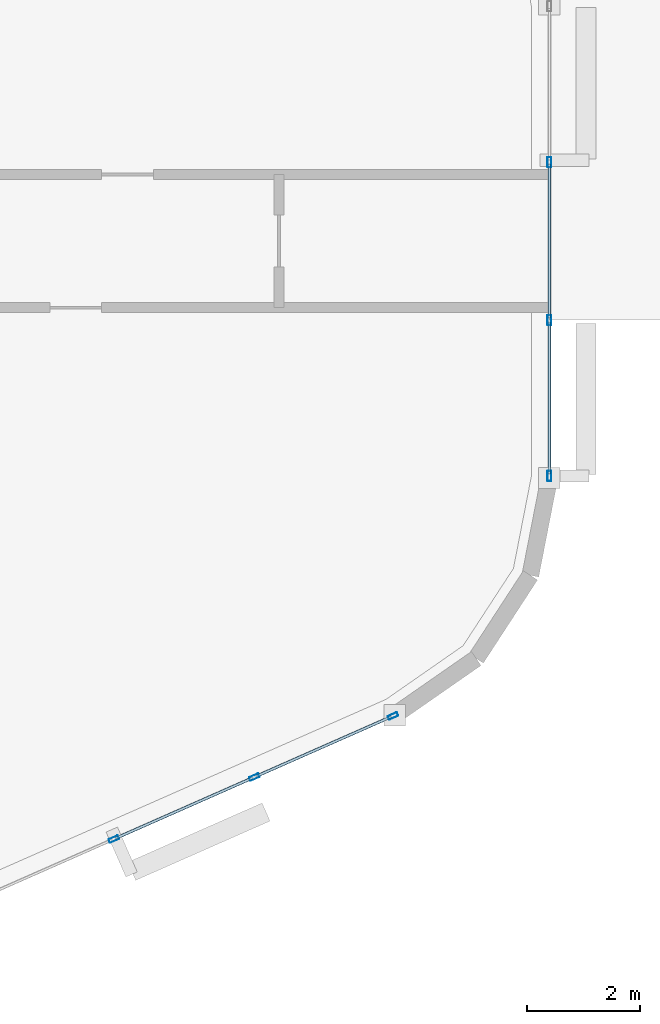
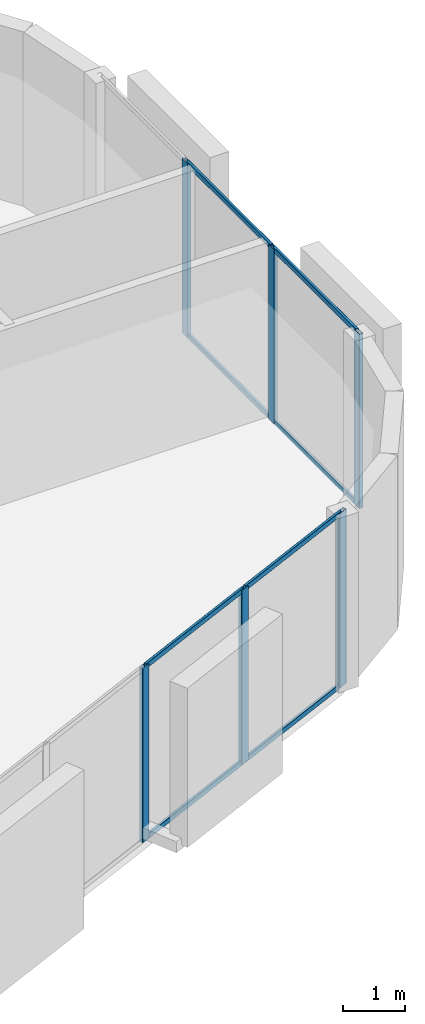
# One storey, part 4 of 14: 14 members, 2 elements without a shape of their own.
"""IFC4 building model written with IfcOpenShell, lengths in metres."""

from ifc_helpers import new_model, si_unit, direction, frame, origin, origin_2d, place, context, subcontext, project, spatial, hollow_rectangle, extrude, material, layer, layer_set, material_profile, profile_set, type_object, element, aggregate, save


model = new_model("IFC4")

# Units and contexts
model_context = context("Model", 3, precision=1e-05, world=origin(), true_north=direction((0.0, 1.0)))
body_context = subcontext(model_context, "Body", "Model", "MODEL_VIEW")
ifc_project = project(units=[si_unit("LENGTHUNIT", "METRE"), si_unit("AREAUNIT", "SQUARE_METRE"), si_unit("VOLUMEUNIT", "CUBIC_METRE"), si_unit("PLANEANGLEUNIT", "RADIAN"), si_unit("MASSUNIT", "GRAM", prefix="KILO")], contexts=[model_context])

# Site, building, storey
site_placement = place(None, origin())
site = spatial("IfcSite", under=ifc_project, at=site_placement, CompositionType="ELEMENT")
building_placement = place(site_placement, origin())
building = spatial("IfcBuilding", under=site, at=building_placement, Name="An Khanh Terracotta Commons", CompositionType="ELEMENT")
storey_placement = place(building_placement, frame((0.0, 0.0, 280.699951171875)))
storey = spatial("IfcBuildingStorey", under=building, at=storey_placement, Name="L73", CompositionType="ELEMENT", Elevation=280.699951171875)

# Curtain wall, members
ifc_material = material(Name="Anodised Aluminium 6063-T6", Category="aluminium")
ifc_layer = layer(ifc_material, 0.2099609375, Name="Anodised Aluminium 6063-T6")
ifc_layer_set = layer_set([ifc_layer], Name="Anodised Aluminium 6063-T6")
curtain_wall_type = type_object("IfcCurtainWallType", Name="CW-SYS-03", PredefinedType="USERDEFINED", material=ifc_layer_set)
curtain_wall_1_placement = place(storey_placement, origin())
curtain_wall_1 = element("IfcCurtainWall", 1, at=curtain_wall_1_placement, inside=storey, type_object=curtain_wall_type, Name="L73 CW-03 Unitised Curtain Wall CW-L73-08", ObjectType="UNITISED CURTAIN WALL", PredefinedType="USERDEFINED")
ifc_material_profile_1 = material_profile(ifc_material, hollow_rectangle(XDim=0.070068359375, YDim=0.179931640625, WallThickness=0.00390625, InnerFilletRadius=0.00390625, OuterFilletRadius=0.008056640625, at=origin_2d()), Name="RHS180x70x4")
ifc_profile_set_1 = profile_set([ifc_material_profile_1], Name="Anodised Aluminium 6063-T6")
member_type_1 = type_object("IfcMemberType", Name="CWM-RHS180x70x4", PredefinedType="MULLION", material=ifc_profile_set_1)
member_1_placement = place(storey_placement, frame((67.8720703125, 13.390380859375, 0.0), z_axis=(0.0, 0.0, 1.0), x_axis=(-0.403676354285, 0.914901853201, 0.0)))
member_1 = element("IfcMember", 2, at=member_1_placement, type_object=member_type_1, Name="CW-03 mullion 3", PredefinedType="MULLION", context=body_context, shape_type="SweptSolid", body=[
    extrude(hollow_rectangle(XDim=0.070068359375, YDim=0.179931640625, WallThickness=0.00390625, InnerFilletRadius=0.00390625, OuterFilletRadius=0.008056640625, at=origin_2d()), origin(), (0.0, 0.0, 1.0), 3.449951171875),
])
member_2_placement = place(storey_placement, frame((70.364501953125, 14.490234375, 0.0), z_axis=(0.0, 0.0, 1.0), x_axis=(-0.403676354285, 0.914901853201, 0.0)))
member_2 = element("IfcMember", 3, at=member_2_placement, type_object=member_type_1, Name="CW-03 mullion 4", PredefinedType="MULLION", context=body_context, shape_type="SweptSolid", body=[
    extrude(hollow_rectangle(XDim=0.070068359375, YDim=0.179931640625, WallThickness=0.00390625, InnerFilletRadius=0.00390625, OuterFilletRadius=0.008056640625, at=origin_2d()), origin(), (0.0, 0.0, 1.0), 3.449951171875),
])
member_3_placement = place(storey_placement, frame((72.824951171875, 15.575927734375, 0.0), z_axis=(0.0, 0.0, 1.0), x_axis=(-0.403676354285, 0.914901853201, 0.0)))
member_3 = element("IfcMember", 4, at=member_3_placement, type_object=member_type_1, Name="CW-03 mullion 5", PredefinedType="MULLION", context=body_context, shape_type="SweptSolid", body=[
    extrude(hollow_rectangle(XDim=0.070068359375, YDim=0.179931640625, WallThickness=0.00390625, InnerFilletRadius=0.00390625, OuterFilletRadius=0.008056640625, at=origin_2d()), origin(), (0.0, 0.0, 1.0), 3.449951171875),
])

curtain_wall_2_placement = place(storey_placement, origin())
curtain_wall_2 = element("IfcCurtainWall", 5, at=curtain_wall_2_placement, inside=storey, type_object=curtain_wall_type, Name="L73 CW-03 Unitised Curtain Wall CW-L73-12", ObjectType="UNITISED CURTAIN WALL", PredefinedType="USERDEFINED")
member_4_placement = place(storey_placement, frame((75.60009765625, 19.8330078125, 0.0), z_axis=(0.0, 0.0, 1.0), x_axis=(-1.0, 0.0, 0.0)))
member_4 = element("IfcMember", 6, at=member_4_placement, type_object=member_type_1, Name="CW-03 mullion 1", PredefinedType="MULLION", context=body_context, shape_type="SweptSolid", body=[
    extrude(hollow_rectangle(XDim=0.070068359375, YDim=0.179931640625, WallThickness=0.00390625, InnerFilletRadius=0.00390625, OuterFilletRadius=0.008056640625, at=origin_2d()), origin(), (0.0, 0.0, 1.0), 3.449951171875),
])
member_5_placement = place(storey_placement, frame((75.60009765625, 22.599365234375, 0.0), z_axis=(0.0, 0.0, 1.0), x_axis=(-1.0, 0.0, 0.0)))
member_5 = element("IfcMember", 7, at=member_5_placement, type_object=member_type_1, Name="CW-03 mullion 2", PredefinedType="MULLION", context=body_context, shape_type="SweptSolid", body=[
    extrude(hollow_rectangle(XDim=0.070068359375, YDim=0.179931640625, WallThickness=0.00390625, InnerFilletRadius=0.00390625, OuterFilletRadius=0.008056640625, at=origin_2d()), origin(), (0.0, 0.0, 1.0), 3.449951171875),
])
member_6_placement = place(storey_placement, frame((75.60009765625, 25.400634765625, 0.0), z_axis=(0.0, 0.0, 1.0), x_axis=(-1.0, 0.0, 0.0)))
member_6 = element("IfcMember", 8, at=member_6_placement, type_object=member_type_1, Name="CW-03 mullion 3", PredefinedType="MULLION", context=body_context, shape_type="SweptSolid", body=[
    extrude(hollow_rectangle(XDim=0.070068359375, YDim=0.179931640625, WallThickness=0.00390625, InnerFilletRadius=0.00390625, OuterFilletRadius=0.008056640625, at=origin_2d()), origin(), (0.0, 0.0, 1.0), 3.449951171875),
])

# Member
ifc_material_profile_2 = material_profile(ifc_material, hollow_rectangle(XDim=0.050048828125, YDim=0.10009765625, WallThickness=0.003173828125, InnerFilletRadius=0.003173828125, OuterFilletRadius=0.00634765625, at=origin_2d()), Name="RHS100x50x3.2")
ifc_profile_set_2 = profile_set([ifc_material_profile_2], Name="Anodised Aluminium 6063-T6")
member_type_2 = type_object("IfcMemberType", Name="CWT-RHS100x50x3.2", PredefinedType="USERDEFINED", material=ifc_profile_set_2)
member_7_placement = place(storey_placement, frame((67.904052734375, 13.404541015625, 0.025146484375), z_axis=(0.914896820753, 0.403687759755, 0.0), x_axis=(-0.403687759755, 0.914896820753, 0.0)))
member_7 = element("IfcMember", 9, at=member_7_placement, type_object=member_type_2, Name="CW-03 transom 3.1", ObjectType="TRANSOM", PredefinedType="USERDEFINED", context=body_context, shape_type="SweptSolid", body=[
    extrude(hollow_rectangle(XDim=0.050048828125, YDim=0.10009765625, WallThickness=0.003173828125, InnerFilletRadius=0.003173828125, OuterFilletRadius=0.00634765625, at=origin_2d()), origin(), (0.0, 0.0, 1.0), 2.654296875),
])

member_8_placement = place(storey_placement, frame((67.904052734375, 13.404541015625, 3.425048828125), z_axis=(0.914896820753, 0.403687759755, 0.0), x_axis=(-0.403687759755, 0.914896820753, 0.0)))
member_8 = element("IfcMember", 10, at=member_8_placement, type_object=member_type_2, Name="CW-03 transom 3.2", ObjectType="TRANSOM", PredefinedType="USERDEFINED", context=body_context, shape_type="SweptSolid", body=[
    extrude(hollow_rectangle(XDim=0.050048828125, YDim=0.10009765625, WallThickness=0.003173828125, InnerFilletRadius=0.003173828125, OuterFilletRadius=0.00634765625, at=origin_2d()), origin(), (0.0, 0.0, 1.0), 2.654296875),
])

member_9_placement = place(storey_placement, frame((70.396484375, 14.50439453125, 0.025146484375), z_axis=(0.914903627858, 0.403672332137, 0.0), x_axis=(-0.403672332137, 0.914903627858, 0.0)))
member_9 = element("IfcMember", 11, at=member_9_placement, type_object=member_type_2, Name="CW-03 transom 4.1", ObjectType="TRANSOM", PredefinedType="USERDEFINED", context=body_context, shape_type="SweptSolid", body=[
    extrude(hollow_rectangle(XDim=0.050048828125, YDim=0.10009765625, WallThickness=0.003173828125, InnerFilletRadius=0.003173828125, OuterFilletRadius=0.00634765625, at=origin_2d()), origin(), (0.0, 0.0, 1.0), 2.619384765625),
])

member_10_placement = place(storey_placement, frame((70.396484375, 14.50439453125, 3.425048828125), z_axis=(0.914903627858, 0.403672332137, 0.0), x_axis=(-0.403672332137, 0.914903627858, 0.0)))
member_10 = element("IfcMember", 12, at=member_10_placement, type_object=member_type_2, Name="CW-03 transom 4.2", ObjectType="TRANSOM", PredefinedType="USERDEFINED", context=body_context, shape_type="SweptSolid", body=[
    extrude(hollow_rectangle(XDim=0.050048828125, YDim=0.10009765625, WallThickness=0.003173828125, InnerFilletRadius=0.003173828125, OuterFilletRadius=0.00634765625, at=origin_2d()), origin(), (0.0, 0.0, 1.0), 2.619384765625),
])

aggregate(curtain_wall_1, [member_1, member_2, member_3, member_7, member_8, member_9, member_10])

member_11_placement = place(storey_placement, frame((75.60009765625, 19.867919921875, 0.025146484375), z_axis=(0.0, 1.0, 0.0), x_axis=(-1.0, 0.0, 0.0)))
member_11 = element("IfcMember", 13, at=member_11_placement, type_object=member_type_2, Name="CW-03 transom 1.1", ObjectType="TRANSOM", PredefinedType="USERDEFINED", context=body_context, shape_type="SweptSolid", body=[
    extrude(hollow_rectangle(XDim=0.050048828125, YDim=0.10009765625, WallThickness=0.003173828125, InnerFilletRadius=0.003173828125, OuterFilletRadius=0.00634765625, at=origin_2d()), origin(), (0.0, 0.0, 1.0), 2.696533203125),
])

member_12_placement = place(storey_placement, frame((75.60009765625, 19.867919921875, 3.425048828125), z_axis=(0.0, 1.0, 0.0), x_axis=(-1.0, 0.0, 0.0)))
member_12 = element("IfcMember", 14, at=member_12_placement, type_object=member_type_2, Name="CW-03 transom 1.2", ObjectType="TRANSOM", PredefinedType="USERDEFINED", context=body_context, shape_type="SweptSolid", body=[
    extrude(hollow_rectangle(XDim=0.050048828125, YDim=0.10009765625, WallThickness=0.003173828125, InnerFilletRadius=0.003173828125, OuterFilletRadius=0.00634765625, at=origin_2d()), origin(), (0.0, 0.0, 1.0), 2.696533203125),
])

member_13_placement = place(storey_placement, frame((75.60009765625, 22.63427734375, 0.025146484375), z_axis=(0.0, 1.0, 0.0), x_axis=(-1.0, 0.0, 0.0)))
member_13 = element("IfcMember", 15, at=member_13_placement, type_object=member_type_2, Name="CW-03 transom 2.1", ObjectType="TRANSOM", PredefinedType="USERDEFINED", context=body_context, shape_type="SweptSolid", body=[
    extrude(hollow_rectangle(XDim=0.050048828125, YDim=0.10009765625, WallThickness=0.003173828125, InnerFilletRadius=0.003173828125, OuterFilletRadius=0.00634765625, at=origin_2d()), origin(), (0.0, 0.0, 1.0), 2.7314453125),
])

member_14_placement = place(storey_placement, frame((75.60009765625, 22.63427734375, 3.425048828125), z_axis=(0.0, 1.0, 0.0), x_axis=(-1.0, 0.0, 0.0)))
member_14 = element("IfcMember", 16, at=member_14_placement, type_object=member_type_2, Name="CW-03 transom 2.2", ObjectType="TRANSOM", PredefinedType="USERDEFINED", context=body_context, shape_type="SweptSolid", body=[
    extrude(hollow_rectangle(XDim=0.050048828125, YDim=0.10009765625, WallThickness=0.003173828125, InnerFilletRadius=0.003173828125, OuterFilletRadius=0.00634765625, at=origin_2d()), origin(), (0.0, 0.0, 1.0), 2.7314453125),
])

aggregate(curtain_wall_2, [member_4, member_5, member_6, member_11, member_12, member_13, member_14])

save(model, "model.ifc")
